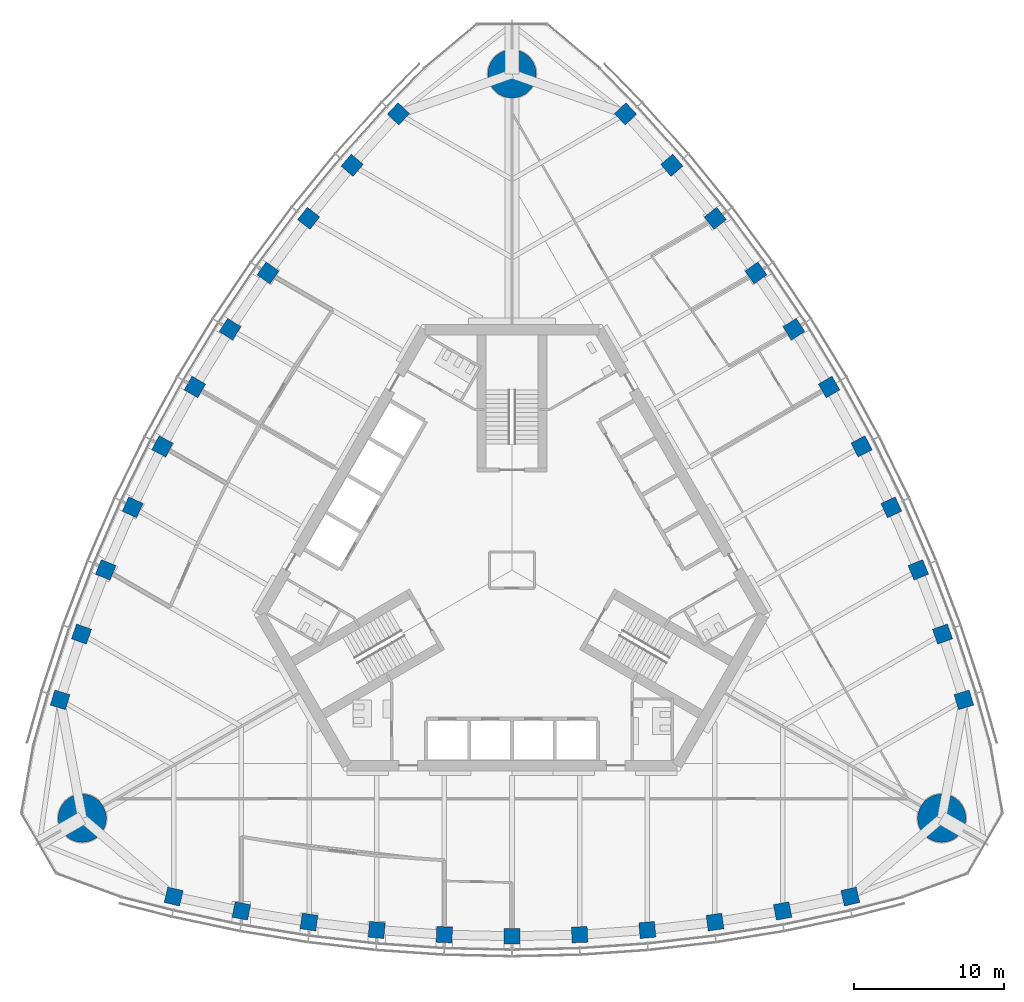
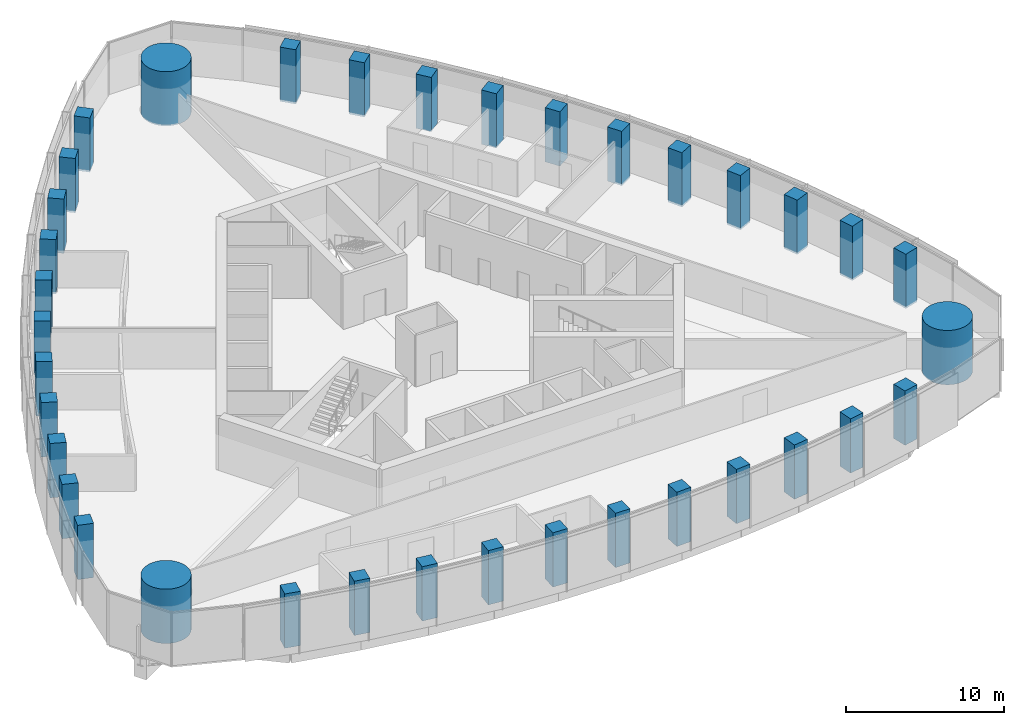
# One storey, part 1 of 19: 36 columns.
"""IFC4 building model written with IfcOpenShell, lengths in metres."""

from ifc_helpers import new_model, si_unit, direction, frame, origin, origin_2d, place, context, subcontext, project, spatial, rectangle, circle, extrude, material, material_profile, profile_set, type_object, element, save


model = new_model("IFC4")

# Units and contexts
model_context = context("Model", 3, precision=1e-05, world=origin(), true_north=direction((0.0, 1.0)))
body_context = subcontext(model_context, "Body", "Model", "MODEL_VIEW")
ifc_project = project(units=[si_unit("LENGTHUNIT", "METRE"), si_unit("AREAUNIT", "SQUARE_METRE"), si_unit("VOLUMEUNIT", "CUBIC_METRE"), si_unit("PLANEANGLEUNIT", "RADIAN"), si_unit("MASSUNIT", "GRAM", prefix="KILO")], contexts=[model_context])

# Site, building, storey
site_placement = place(None, origin())
site = spatial("IfcSite", under=ifc_project, at=site_placement, CompositionType="ELEMENT")
building_placement = place(site_placement, origin())
building = spatial("IfcBuilding", under=site, at=building_placement, Name="Trefoil Bronze Tower", CompositionType="ELEMENT")
storey_placement = place(building_placement, frame((0.0, 0.0, 227.5)))
storey = spatial("IfcBuildingStorey", under=building, at=storey_placement, Name="L52", CompositionType="ELEMENT", Elevation=227.5)

# Columns
ifc_material_1 = material(Name="Concrete B80", Category="concrete")
ifc_material_profile_1 = material_profile(ifc_material_1, circle(Radius=1.60009765625, at=origin_2d()), Name="RC D3200")
ifc_profile_set_1 = profile_set([ifc_material_profile_1], Name="Concrete B80")
column_type_1 = type_object("IfcColumnType", Name="Mega column RC D3200", PredefinedType="COLUMN", material=ifc_profile_set_1)
for number, where, z_axis, x_axis, name in (
    (1, (28.578857421875, -16.5, 0.0), (0.0, 0.0, 1.0), (1.0, 0.0, 0.0), "Mega column K1 L52"),
    (2, (0.0, 33.0, 0.0), (0.0, 0.0, 1.0), (1.0, 0.0, 0.0), "Mega column K2 L52"),
    (3, (-28.578857421875, -16.5, 0.0), (0.0, 0.0, 1.0), (1.0, 0.0, 0.0), "Mega column K3 L52"),
):
    element("IfcColumn", number, at=place(storey_placement, frame(where, z_axis=z_axis, x_axis=x_axis)), inside=storey, type_object=column_type_1, Name=name, PredefinedType="COLUMN", context=body_context, shape_type="SweptSolid", body=[
        extrude(circle(Radius=1.60009765625, at=origin_2d()), origin(), (0.0, 0.0, 1.0), 4.199951171875),
    ])
ifc_material_2 = material(Name="Concrete B80", Category="concrete")
ifc_material_profile_2 = material_profile(ifc_material_2, rectangle(XDim=1.050048828125, YDim=1.050048828125, at=origin_2d()), Name="RC 1050x1050")
ifc_profile_set_2 = profile_set([ifc_material_profile_2], Name="Concrete B80")
column_type_2 = type_object("IfcColumnType", Name="Tube column RC 1050x1050", PredefinedType="COLUMN", material=ifc_profile_set_2)
for number, where, z_axis, x_axis, name in (
    (4, (-22.5, -21.71044921875, 0.0), (0.0, 0.0, 1.0), (0.973875487093, -0.227082662569, 0.0), "Tube column F1/-5 L52"),
    (5, (-18.0, -22.6689453125, 0.0), (0.0, 0.0, 1.0), (0.982958917767, -0.183825368167, 0.0), "Tube column F1/-4 L52"),
    (6, (-13.5, -23.408447265625, 0.0), (0.0, 0.0, 1.0), (0.990450627582, -0.137867887204, 0.0), "Tube column F1/-3 L52"),
    (7, (-9.0, -23.932861328125, 0.0), (0.0, 0.0, 1.0), (0.995767189263, -0.091911396394, 0.0), "Tube column F1/-2 L52"),
    (8, (-4.5, -24.246337890625, 0.0), (0.0, 0.0, 1.0), (0.998943485952, -0.045955542372, 0.0), "Tube column F1/-1 L52"),
    (9, (0.0, -24.3505859375, 0.0), (0.0, 0.0, 1.0), (1.0, 0.0, 0.0), "Tube column F1/+0 L52"),
    (10, (4.5, -24.246337890625, 0.0), (0.0, 0.0, 1.0), (0.998943485952, 0.045955542372, 0.0), "Tube column F1/+1 L52"),
    (11, (9.0, -23.932861328125, 0.0), (0.0, 0.0, 1.0), (0.995767189263, 0.091911396394, 0.0), "Tube column F1/+2 L52"),
    (12, (13.5, -23.408447265625, 0.0), (0.0, 0.0, 1.0), (0.990450627582, 0.137867887204, 0.0), "Tube column F1/+3 L52"),
    (13, (18.0, -22.6689453125, 0.0), (0.0, 0.0, 1.0), (0.982958917767, 0.183825368167, 0.0), "Tube column F1/+4 L52"),
    (14, (22.5, -21.71044921875, 0.0), (0.0, 0.0, 1.0), (0.973875487093, 0.227082662569, 0.0), "Tube column F1/+5 L52"),
    (15, (30.052001953125, -8.63037109375, 0.0), (0.0, 0.0, 1.0), (-0.290278389002, 0.95694224323, 0.0), "Tube column F2/-5 L52"),
    (16, (28.632080078125, -4.25390625, 0.0), (0.0, 0.0, 1.0), (-0.332282020191, 0.943180077746, 0.0), "Tube column F2/-4 L52"),
    (17, (27.022216796875, 0.012939453125, 0.0), (0.0, 0.0, 1.0), (-0.375828221106, 0.926689348282, 0.0), "Tube column F2/-3 L52"),
    (18, (25.2265625, 4.17236328125, 0.0), (0.0, 0.0, 1.0), (-0.418285990457, 0.908315380354, 0.0), "Tube column F2/-2 L52"),
    (19, (23.248046875, 8.22607421875, 0.0), (0.0, 0.0, 1.0), (-0.459673075837, 0.888088206965, 0.0), "Tube column F2/-1 L52"),
    (20, (21.08837890625, 12.17529296875, 0.0), (0.0, 0.0, 1.0), (-0.5, 0.866025403784, 0.0), "Tube column F2/+0 L52"),
    (21, (18.748046875, 16.020263671875, 0.0), (0.0, 0.0, 1.0), (-0.539270410114, 0.842132664593, 0.0), "Tube column F2/+1 L52"),
    (22, (16.2265625, 19.7607421875, 0.0), (0.0, 0.0, 1.0), (-0.577481198806, 0.81640398396, 0.0), "Tube column F2/+2 L52"),
    (23, (13.522216796875, 23.3955078125, 0.0), (0.0, 0.0, 1.0), (-0.614622406476, 0.788821461078, 0.0), "Tube column F2/+3 L52"),
    (24, (10.632080078125, 26.923095703125, 0.0), (0.0, 0.0, 1.0), (-0.650676897576, 0.75935470958, 0.0), "Tube column F2/+4 L52"),
    (25, (7.552001953125, 30.3408203125, 0.0), (0.0, 0.0, 1.0), (-0.683597098091, 0.729859580661, 0.0), "Tube column F2/+5 L52"),
    (26, (-7.552001953125, 30.3408203125, 0.0), (0.0, 0.0, 1.0), (-0.683597098091, -0.729859580661, 0.0), "Tube column F3/-5 L52"),
    (27, (-10.632080078125, 26.923095703125, 0.0), (0.0, 0.0, 1.0), (-0.650676897576, -0.75935470958, 0.0), "Tube column F3/-4 L52"),
    (28, (-13.522216796875, 23.3955078125, 0.0), (0.0, 0.0, 1.0), (-0.614622406476, -0.788821461078, 0.0), "Tube column F3/-3 L52"),
    (29, (-16.2265625, 19.7607421875, 0.0), (0.0, 0.0, 1.0), (-0.577481198806, -0.81640398396, 0.0), "Tube column F3/-2 L52"),
    (30, (-18.748046875, 16.020263671875, 0.0), (0.0, 0.0, 1.0), (-0.539270410114, -0.842132664593, 0.0), "Tube column F3/-1 L52"),
    (31, (-21.08837890625, 12.17529296875, 0.0), (0.0, 0.0, 1.0), (-0.5, -0.866025403784, 0.0), "Tube column F3/+0 L52"),
    (32, (-23.248046875, 8.22607421875, 0.0), (0.0, 0.0, 1.0), (-0.459673075837, -0.888088206965, 0.0), "Tube column F3/+1 L52"),
    (33, (-25.2265625, 4.17236328125, 0.0), (0.0, 0.0, 1.0), (-0.418285990457, -0.908315380354, 0.0), "Tube column F3/+2 L52"),
    (34, (-27.022216796875, 0.012939453125, 0.0), (0.0, 0.0, 1.0), (-0.375828221106, -0.926689348282, 0.0), "Tube column F3/+3 L52"),
    (35, (-28.632080078125, -4.25390625, 0.0), (0.0, 0.0, 1.0), (-0.332282020191, -0.943180077746, 0.0), "Tube column F3/+4 L52"),
    (36, (-30.052001953125, -8.63037109375, 0.0), (0.0, 0.0, 1.0), (-0.290278389002, -0.95694224323, 0.0), "Tube column F3/+5 L52"),
):
    element("IfcColumn", number, at=place(storey_placement, frame(where, z_axis=z_axis, x_axis=x_axis)), inside=storey, type_object=column_type_2, Name=name, PredefinedType="COLUMN", context=body_context, shape_type="SweptSolid", body=[
        extrude(rectangle(XDim=1.050048828125, YDim=1.050048828125, at=origin_2d()), origin(), (0.0, 0.0, 1.0), 4.199951171875),
    ])

save(model, "model.ifc")
